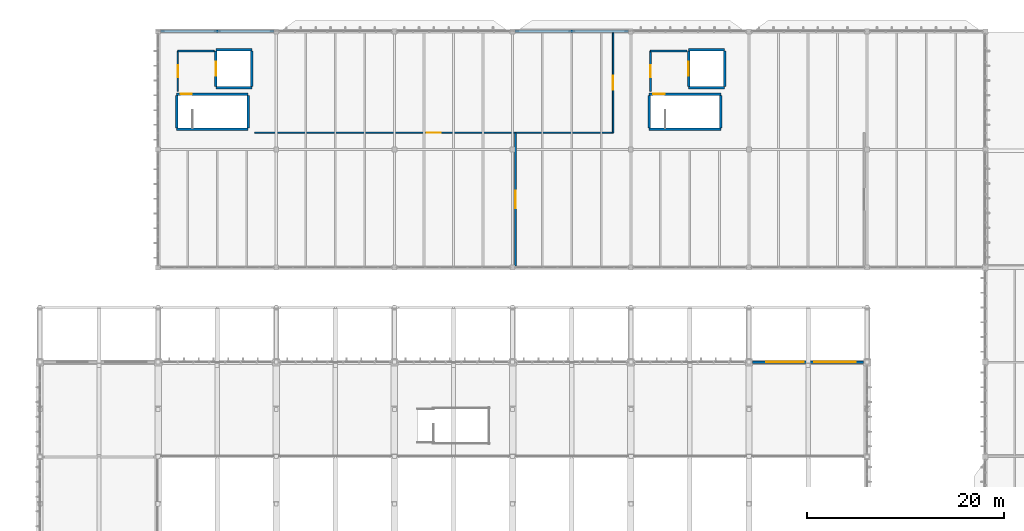
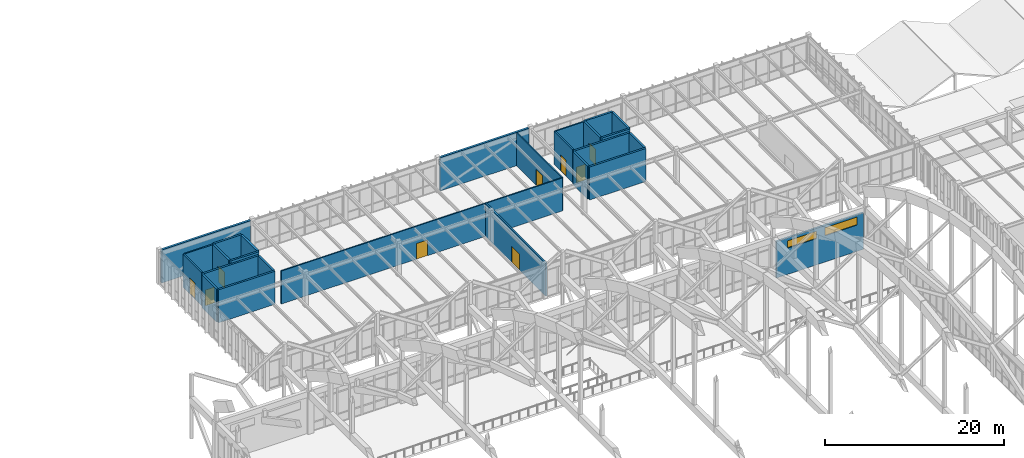
# One storey, part 221 of 236: 26 walls, 9 doors, 2 windows, 11 openings.
"""IFC4 building model written with IfcOpenShell, lengths in metres."""

from ifc_helpers import new_model, si_unit, direction, frame, frame_2d, origin, place, context, subcontext, project, spatial, rectangle, extrude, material, layer, layer_set, type_object, element, fill, save


model = new_model("IFC4")

# Units and contexts
model_context = context("Model", 3, precision=1e-05, world=origin(), true_north=direction((0.0, 1.0)))
body_context = subcontext(model_context, "Body", "Model", "MODEL_VIEW")
ifc_project = project(units=[si_unit("LENGTHUNIT", "METRE"), si_unit("AREAUNIT", "SQUARE_METRE"), si_unit("VOLUMEUNIT", "CUBIC_METRE"), si_unit("PLANEANGLEUNIT", "RADIAN"), si_unit("MASSUNIT", "GRAM", prefix="KILO")], contexts=[model_context])

# Site, building, storey
site_placement = place(None, origin())
site = spatial("IfcSite", under=ifc_project, at=site_placement, CompositionType="ELEMENT")
building_placement = place(site_placement, origin())
building = spatial("IfcBuilding", under=site, at=building_placement, Name="Pandanus Reach Market Hall", CompositionType="ELEMENT")
storey_placement = place(building_placement, frame((0.0, 0.0, 5.39990234375)))
storey = spatial("IfcBuildingStorey", under=building, at=storey_placement, Name="L01", CompositionType="ELEMENT", Elevation=5.39990234375)

# Wall
ifc_material_1 = material(Name="Concrete N40 (40 MPa)", Category="concrete")
ifc_layer_1 = layer(ifc_material_1, 0.25, Name="WL-CORE-250")
ifc_layer_set_1 = layer_set([ifc_layer_1], Name="Concrete N40 (40 MPa)")
wall_type_1 = type_object("IfcWallType", Name="WL-CORE-250", PredefinedType="SHEAR", material=ifc_layer_set_1)
wall_1_placement = place(storey_placement, frame((61.875, 110.074951171875, 0.0), z_axis=(0.0, 0.0, 1.0), x_axis=(1.0, 0.0, 0.0)))
element("IfcWall", 1, at=wall_1_placement, inside=storey, type_object=wall_type_1, Name="Internal wall WL-CORE-250 WL-0380", PredefinedType="SHEAR", context=body_context, shape_type="SweptSolid", body=[
    extrude(rectangle(XDim=7.27001953125, YDim=0.25, at=frame_2d((3.635009765625, 0.0))), origin(), (0.0, 0.0, 1.0), 4.52001953125),
])

# Wall, opening, door
wall_2_placement = place(storey_placement, frame((61.875, 113.625, 0.0), z_axis=(0.0, 0.0, 1.0), x_axis=(1.0, 0.0, 0.0)))
wall_2 = element("IfcWall", 2, at=wall_2_placement, inside=storey, type_object=wall_type_1, Name="Internal wall WL-CORE-250 WL-0381", PredefinedType="SHEAR", context=body_context, shape_type="SweptSolid", body=[
    extrude(rectangle(XDim=7.27001953125, YDim=0.25, at=frame_2d((3.635009765625, 0.0))), origin(), (0.0, 0.0, 1.0), 4.52001953125),
])
opening_1_placement = place(wall_2_placement, frame((0.39990234375, 0.0, 0.0)))
opening_1 = element("IfcOpeningElement", 3, at=opening_1_placement, cuts=wall_2, Name="Opening DR-FD1", PredefinedType="OPENING", context=body_context, shape_type="SweptSolid", body=[
    extrude(rectangle(XDim=1.14990234375, YDim=2.14990234375, at=frame_2d((0.574951171875, 1.074951171875))), frame((0.0, 0.139892578125, 0.0), z_axis=(0.0, -1.0, 0.0), x_axis=(1.0, 0.0, 0.0)), (0.0, 0.0, 1.0), 0.280029296875),
])
ifc_material_2 = material(Name="Fire-rated steel door", Category="steel")
door_type_1 = type_object("IfcDoorType", Name="DR-FD1", OperationType="NOTDEFINED", PredefinedType="DOOR", material=ifc_material_2)
door_1_placement = place(opening_1_placement, frame((1.14990234375, 0.0, 0.0), z_axis=(0.0, 0.0, 1.0), x_axis=(-1.0, 0.0, 0.0)))
door_1 = element("IfcDoor", 4, at=door_1_placement, inside=storey, type_object=door_type_1, Name="Fire stair door ST-05 L01", OperationType="SINGLE_SWING_LEFT", OverallHeight=2.14990234375, OverallWidth=1.14990234375, PredefinedType="DOOR", context=body_context, shape_type="SweptSolid", body=[
    extrude(rectangle(XDim=1.14990234375, YDim=2.14990234375, at=frame_2d((0.574951171875, 1.074951171875))), frame((0.0, 0.02490234375, 0.0), z_axis=(0.0, -1.0, 0.0), x_axis=(1.0, 0.0, 0.0)), (0.0, 0.0, 1.0), 0.050048828125),
])
fill(opening_1, door_1)

# Walls
for number, where, z_axis, x_axis, name in (
    (5, (61.875, 110.199951171875, 0.0), (0.0, 0.0, 1.0), (0.0, 1.0, 0.0), "Internal wall WL-CORE-250 WL-0382"),
    (6, (69.14501953125, 110.199951171875, 0.0), (0.0, 0.0, 1.0), (0.0, 1.0, 0.0), "Internal wall WL-CORE-250 WL-0383"),
):
    element("IfcWall", number, at=place(storey_placement, frame(where, z_axis=z_axis, x_axis=x_axis)), inside=storey, type_object=wall_type_1, Name=name, PredefinedType="SHEAR", context=body_context, shape_type="SweptSolid", body=[
        extrude(rectangle(XDim=3.300048828125, YDim=0.25, at=frame_2d((1.64990234375, 0.0))), origin(), (0.0, 0.0, 1.0), 4.52001953125),
    ])
for number, where, z_axis, x_axis, name in (
    (7, (65.875, 114.27490234375, 0.0), (0.0, 0.0, 1.0), (1.0, 0.0, 0.0), "Internal wall WL-CORE-250 WL-0384"),
    (8, (65.875, 118.125, 0.0), (0.0, 0.0, 1.0), (1.0, 0.0, 0.0), "Internal wall WL-CORE-250 WL-0385"),
):
    element("IfcWall", number, at=place(storey_placement, frame(where, z_axis=z_axis, x_axis=x_axis)), inside=storey, type_object=wall_type_1, Name=name, PredefinedType="SHEAR", context=body_context, shape_type="SweptSolid", body=[
        extrude(rectangle(XDim=3.64990234375, YDim=0.25, at=frame_2d((1.824951171875, 0.0))), origin(), (0.0, 0.0, 1.0), 4.52001953125),
    ])
wall_3_placement = place(storey_placement, frame((69.52490234375, 114.39990234375, 0.0), z_axis=(0.0, 0.0, 1.0), x_axis=(0.0, 1.0, 0.0)))
element("IfcWall", 9, at=wall_3_placement, inside=storey, type_object=wall_type_1, Name="Internal wall WL-CORE-250 WL-0386", PredefinedType="SHEAR", context=body_context, shape_type="SweptSolid", body=[
    extrude(rectangle(XDim=3.60009765625, YDim=0.25, at=frame_2d((1.800048828125, 0.0))), origin(), (0.0, 0.0, 1.0), 4.52001953125),
])

# Wall, opening, door
wall_4_placement = place(storey_placement, frame((65.875, 114.39990234375, 0.0), z_axis=(0.0, 0.0, 1.0), x_axis=(0.0, 1.0, 0.0)))
wall_4 = element("IfcWall", 10, at=wall_4_placement, inside=storey, type_object=wall_type_1, Name="Internal wall WL-CORE-250 WL-0387", PredefinedType="SHEAR", context=body_context, shape_type="SweptSolid", body=[
    extrude(rectangle(XDim=3.60009765625, YDim=0.25, at=frame_2d((1.800048828125, 0.0))), origin(), (0.0, 0.0, 1.0), 4.52001953125),
])
opening_2_placement = place(wall_4_placement, frame((1.10009765625, 0.0, 0.0)))
opening_2 = element("IfcOpeningElement", 11, at=opening_2_placement, cuts=wall_4, Name="Opening LD-02", PredefinedType="OPENING", context=body_context, shape_type="SweptSolid", body=[
    extrude(rectangle(XDim=1.39990234375, YDim=2.199951171875, at=frame_2d((0.699951171875, 1.10009765625))), frame((0.0, 0.139892578125, 0.0), z_axis=(0.0, -1.0, 0.0), x_axis=(1.0, 0.0, 0.0)), (0.0, 0.0, 1.0), 0.280029296875),
])
ifc_material_3 = material(Name="Heavy goods lift landing door")
door_type_2 = type_object("IfcDoorType", Name="LD-02", OperationType="SLIDING_TO_RIGHT", PredefinedType="DOOR", material=ifc_material_3)
door_2_placement = place(opening_2_placement, origin())
door_2 = element("IfcDoor", 12, at=door_2_placement, inside=storey, type_object=door_type_2, Name="Lift landing door LF-05 LD-02 72", OperationType="SLIDING_TO_RIGHT", OverallHeight=2.199951171875, OverallWidth=1.39990234375, PredefinedType="DOOR", context=body_context, shape_type="SweptSolid", body=[
    extrude(rectangle(XDim=1.39990234375, YDim=2.199951171875, at=frame_2d((0.699951171875, 1.10009765625))), frame((0.0, 0.02490234375, 0.0), z_axis=(0.0, -1.0, 0.0), x_axis=(1.0, 0.0, 0.0)), (0.0, 0.0, 1.0), 0.050048828125),
])
fill(opening_2, door_2)

# Wall
wall_5_placement = place(storey_placement, frame((109.875, 110.074951171875, 0.0), z_axis=(0.0, 0.0, 1.0), x_axis=(1.0, 0.0, 0.0)))
element("IfcWall", 13, at=wall_5_placement, inside=storey, type_object=wall_type_1, Name="Internal wall WL-CORE-250 WL-0410", PredefinedType="SHEAR", context=body_context, shape_type="SweptSolid", body=[
    extrude(rectangle(XDim=7.27001953125, YDim=0.25, at=frame_2d((3.635009765625, 0.0))), origin(), (0.0, 0.0, 1.0), 4.52001953125),
])

# Wall, opening, door
wall_6_placement = place(storey_placement, frame((109.875, 113.625, 0.0), z_axis=(0.0, 0.0, 1.0), x_axis=(1.0, 0.0, 0.0)))
wall_6 = element("IfcWall", 14, at=wall_6_placement, inside=storey, type_object=wall_type_1, Name="Internal wall WL-CORE-250 WL-0411", PredefinedType="SHEAR", context=body_context, shape_type="SweptSolid", body=[
    extrude(rectangle(XDim=7.27001953125, YDim=0.25, at=frame_2d((3.635009765625, 0.0))), origin(), (0.0, 0.0, 1.0), 4.52001953125),
])
opening_3_placement = place(wall_6_placement, frame((0.39990234375, 0.0, 0.0)))
opening_3 = element("IfcOpeningElement", 15, at=opening_3_placement, cuts=wall_6, Name="Opening DR-FD1", PredefinedType="OPENING", context=body_context, shape_type="SweptSolid", body=[
    extrude(rectangle(XDim=1.14990234375, YDim=2.14990234375, at=frame_2d((0.574951171875, 1.074951171875))), frame((0.0, 0.139892578125, 0.0), z_axis=(0.0, -1.0, 0.0), x_axis=(1.0, 0.0, 0.0)), (0.0, 0.0, 1.0), 0.280029296875),
])
door_3_placement = place(opening_3_placement, frame((1.14990234375, 0.0, 0.0), z_axis=(0.0, 0.0, 1.0), x_axis=(-1.0, 0.0, 0.0)))
door_3 = element("IfcDoor", 16, at=door_3_placement, inside=storey, type_object=door_type_1, Name="Fire stair door ST-06 L01", OperationType="SINGLE_SWING_RIGHT", OverallHeight=2.14990234375, OverallWidth=1.14990234375, PredefinedType="DOOR", context=body_context, shape_type="SweptSolid", body=[
    extrude(rectangle(XDim=1.14990234375, YDim=2.14990234375, at=frame_2d((0.574951171875, 1.074951171875))), frame((0.0, 0.02490234375, 0.0), z_axis=(0.0, -1.0, 0.0), x_axis=(1.0, 0.0, 0.0)), (0.0, 0.0, 1.0), 0.050048828125),
])
fill(opening_3, door_3)

# Walls
for number, where, z_axis, x_axis, name in (
    (17, (109.875, 110.199951171875, 0.0), (0.0, 0.0, 1.0), (0.0, 1.0, 0.0), "Internal wall WL-CORE-250 WL-0412"),
    (18, (117.14501953125, 110.199951171875, 0.0), (0.0, 0.0, 1.0), (0.0, 1.0, 0.0), "Internal wall WL-CORE-250 WL-0413"),
):
    element("IfcWall", number, at=place(storey_placement, frame(where, z_axis=z_axis, x_axis=x_axis)), inside=storey, type_object=wall_type_1, Name=name, PredefinedType="SHEAR", context=body_context, shape_type="SweptSolid", body=[
        extrude(rectangle(XDim=3.300048828125, YDim=0.25, at=frame_2d((1.64990234375, 0.0))), origin(), (0.0, 0.0, 1.0), 4.52001953125),
    ])
for number, where, z_axis, x_axis, name in (
    (19, (113.875, 114.27490234375, 0.0), (0.0, 0.0, 1.0), (1.0, 0.0, 0.0), "Internal wall WL-CORE-250 WL-0414"),
    (20, (113.875, 118.125, 0.0), (0.0, 0.0, 1.0), (1.0, 0.0, 0.0), "Internal wall WL-CORE-250 WL-0415"),
):
    element("IfcWall", number, at=place(storey_placement, frame(where, z_axis=z_axis, x_axis=x_axis)), inside=storey, type_object=wall_type_1, Name=name, PredefinedType="SHEAR", context=body_context, shape_type="SweptSolid", body=[
        extrude(rectangle(XDim=3.64990234375, YDim=0.25, at=frame_2d((1.824951171875, 0.0))), origin(), (0.0, 0.0, 1.0), 4.52001953125),
    ])
wall_7_placement = place(storey_placement, frame((117.52490234375, 114.39990234375, 0.0), z_axis=(0.0, 0.0, 1.0), x_axis=(0.0, 1.0, 0.0)))
element("IfcWall", 21, at=wall_7_placement, inside=storey, type_object=wall_type_1, Name="Internal wall WL-CORE-250 WL-0416", PredefinedType="SHEAR", context=body_context, shape_type="SweptSolid", body=[
    extrude(rectangle(XDim=3.60009765625, YDim=0.25, at=frame_2d((1.800048828125, 0.0))), origin(), (0.0, 0.0, 1.0), 4.52001953125),
])

# Wall, opening, door
wall_8_placement = place(storey_placement, frame((113.875, 114.39990234375, 0.0), z_axis=(0.0, 0.0, 1.0), x_axis=(0.0, 1.0, 0.0)))
wall_8 = element("IfcWall", 22, at=wall_8_placement, inside=storey, type_object=wall_type_1, Name="Internal wall WL-CORE-250 WL-0417", PredefinedType="SHEAR", context=body_context, shape_type="SweptSolid", body=[
    extrude(rectangle(XDim=3.60009765625, YDim=0.25, at=frame_2d((1.800048828125, 0.0))), origin(), (0.0, 0.0, 1.0), 4.52001953125),
])
opening_4_placement = place(wall_8_placement, frame((1.10009765625, 0.0, 0.0)))
opening_4 = element("IfcOpeningElement", 23, at=opening_4_placement, cuts=wall_8, Name="Opening LD-02", PredefinedType="OPENING", context=body_context, shape_type="SweptSolid", body=[
    extrude(rectangle(XDim=1.39990234375, YDim=2.199951171875, at=frame_2d((0.699951171875, 1.10009765625))), frame((0.0, 0.139892578125, 0.0), z_axis=(0.0, -1.0, 0.0), x_axis=(1.0, 0.0, 0.0)), (0.0, 0.0, 1.0), 0.280029296875),
])
door_4_placement = place(opening_4_placement, origin())
door_4 = element("IfcDoor", 24, at=door_4_placement, inside=storey, type_object=door_type_2, Name="Lift landing door LF-06 LD-02 81", OperationType="SLIDING_TO_RIGHT", OverallHeight=2.199951171875, OverallWidth=1.39990234375, PredefinedType="DOOR", context=body_context, shape_type="SweptSolid", body=[
    extrude(rectangle(XDim=1.39990234375, YDim=2.199951171875, at=frame_2d((0.699951171875, 1.10009765625))), frame((0.0, 0.02490234375, 0.0), z_axis=(0.0, -1.0, 0.0), x_axis=(1.0, 0.0, 0.0)), (0.0, 0.0, 1.0), 0.050048828125),
])
fill(opening_4, door_4)

# Wall, openings, windows
ifc_material_4 = material(Name="Precast concrete S50 (50 MPa)", Category="concrete")
ifc_layer_2 = layer(ifc_material_4, 0.239990234375, Name="WL-EXT-240")
ifc_layer_set_2 = layer_set([ifc_layer_2], Name="Precast concrete S50 (50 MPa)")
wall_type_2 = type_object("IfcWallType", Name="WL-EXT-240", PredefinedType="SOLIDWALL", material=ifc_layer_set_2)
wall_9_placement = place(storey_placement, frame((120.375, 86.39990234375, 0.0), z_axis=(0.0, 0.0, 1.0), x_axis=(1.0, 0.0, 0.0)))
wall_9 = element("IfcWall", 25, at=wall_9_placement, inside=storey, type_object=wall_type_2, Name="External wall WL-EXT-240 WL-0055", PredefinedType="SOLIDWALL", context=body_context, shape_type="SweptSolid", body=[
    extrude(rectangle(XDim=11.25, YDim=0.239990234375, at=frame_2d((5.625, 0.0))), origin(), (0.0, 0.0, 1.0), 4.99609375),
])
opening_5_placement = place(wall_9_placement, frame((1.39990234375, 0.0, 3.60009765625)))
opening_5 = element("IfcOpeningElement", 26, at=opening_5_placement, cuts=wall_9, Name="Opening LDM-05", PredefinedType="OPENING", context=body_context, shape_type="SweptSolid", body=[
    extrude(rectangle(XDim=3.800048828125, YDim=1.0, at=frame_2d((1.89990234375, 0.5))), frame((0.0, 0.135009765625, 0.0), z_axis=(0.0, -1.0, 0.0), x_axis=(1.0, 0.0, 0.0)), (0.0, 0.0, 1.0), 0.27001953125),
])
opening_6_placement = place(wall_9_placement, frame((6.25, 0.0, 3.60009765625)))
opening_6 = element("IfcOpeningElement", 27, at=opening_6_placement, cuts=wall_9, Name="Opening LDM-03", PredefinedType="OPENING", context=body_context, shape_type="SweptSolid", body=[
    extrude(rectangle(XDim=4.199951171875, YDim=1.10009765625, at=frame_2d((2.10009765625, 0.550048828125))), frame((0.0, 0.135009765625, 0.0), z_axis=(0.0, -1.0, 0.0), x_axis=(1.0, 0.0, 0.0)), (0.0, 0.0, 1.0), 0.27001953125),
])
ifc_material_5 = material(Name="Solar-control double glazing", Category="glass")
window_type_1 = type_object("IfcWindowType", Name="LDM-03", PartitioningType="SINGLE_PANEL", PredefinedType="LIGHTDOME", material=ifc_material_5)
window_1_placement = place(opening_6_placement, origin())
window_1 = element("IfcWindow", 28, at=window_1_placement, inside=storey, type_object=window_type_1, Name="Window LDM-03 20", OverallHeight=1.10009765625, OverallWidth=4.199951171875, PartitioningType="SINGLE_PANEL", PredefinedType="LIGHTDOME", context=body_context, shape_type="SweptSolid", body=[
    extrude(rectangle(XDim=4.199951171875, YDim=1.10009765625, at=frame_2d((2.10009765625, 0.550048828125))), frame((0.0, 0.030029296875, 0.0), z_axis=(0.0, -1.0, 0.0), x_axis=(1.0, 0.0, 0.0)), (0.0, 0.0, 1.0), 0.06005859375),
])
fill(opening_6, window_1)
window_type_2 = type_object("IfcWindowType", Name="LDM-05", PartitioningType="SINGLE_PANEL", PredefinedType="LIGHTDOME", material=ifc_material_5)
window_2_placement = place(opening_5_placement, origin())
window_2 = element("IfcWindow", 29, at=window_2_placement, inside=storey, type_object=window_type_2, Name="Window LDM-05 19", OverallHeight=1.0, OverallWidth=3.800048828125, PartitioningType="SINGLE_PANEL", PredefinedType="LIGHTDOME", context=body_context, shape_type="SweptSolid", body=[
    extrude(rectangle(XDim=3.800048828125, YDim=1.0, at=frame_2d((1.89990234375, 0.5))), frame((0.0, 0.030029296875, 0.0), z_axis=(0.0, -1.0, 0.0), x_axis=(1.0, 0.0, 0.0)), (0.0, 0.0, 1.0), 0.06005859375),
])
fill(opening_5, window_2)

# Walls
ifc_layer_3 = layer(ifc_material_4, 0.280029296875, Name="WL-EXT-280")
ifc_layer_set_3 = layer_set([ifc_layer_3], Name="Precast concrete S50 (50 MPa)")
wall_type_3 = type_object("IfcWallType", Name="WL-EXT-280", PredefinedType="SOLIDWALL", material=ifc_layer_set_3)
for number, where, z_axis, x_axis, name in (
    (30, (60.25, 120.0, 0.0), (0.0, 0.0, 1.0), (1.0, 0.0, 0.0), "External wall WL-EXT-280 WL-0120"),
    (31, (96.25, 120.0, 0.0), (0.0, 0.0, 1.0), (1.0, 0.0, 0.0), "External wall WL-EXT-280 WL-0127"),
):
    element("IfcWall", number, at=place(storey_placement, frame(where, z_axis=z_axis, x_axis=x_axis)), inside=storey, type_object=wall_type_3, Name=name, PredefinedType="SOLIDWALL", context=body_context, shape_type="SweptSolid", body=[
        extrude(rectangle(XDim=11.5, YDim=0.280029296875, at=frame_2d((5.75, 0.0))), origin(), (0.0, 0.0, 1.0), 4.550048828125),
    ])

# Wall, opening, door
ifc_layer_4 = layer(ifc_material_1, 0.199951171875, Name="WL-FIRE-200")
ifc_layer_set_4 = layer_set([ifc_layer_4], Name="Concrete N40 (40 MPa)")
wall_type_4 = type_object("IfcWallType", Name="WL-FIRE-200", PredefinedType="SOLIDWALL", material=ifc_layer_set_4)
wall_10_placement = place(storey_placement, frame((96.300048828125, 96.14990234375, 0.0), z_axis=(0.0, 0.0, 1.0), x_axis=(0.0, 1.0, 0.0)))
wall_10 = element("IfcWall", 32, at=wall_10_placement, inside=storey, type_object=wall_type_4, Name="Internal wall WL-FIRE-200 WL-0534", PredefinedType="SOLIDWALL", context=body_context, shape_type="SweptSolid", body=[
    extrude(rectangle(XDim=13.550048828125, YDim=0.199951171875, at=frame_2d((6.77490234375, 0.0))), origin(), (0.0, 0.0, 1.0), 4.52001953125),
])
opening_7_placement = place(wall_10_placement, frame((5.875, 0.0, 0.0)))
opening_7 = element("IfcOpeningElement", 33, at=opening_7_placement, cuts=wall_10, Name="Opening DR-FD3", PredefinedType="OPENING", context=body_context, shape_type="SweptSolid", body=[
    extrude(rectangle(XDim=1.800048828125, YDim=2.199951171875, at=frame_2d((0.89990234375, 1.10009765625))), frame((0.0, 0.114990234375, 0.0), z_axis=(0.0, -1.0, 0.0), x_axis=(1.0, 0.0, 0.0)), (0.0, 0.0, 1.0), 0.22998046875),
])
ifc_material_6 = material(Name="Fire-rated double lobby door")
door_type_3 = type_object("IfcDoorType", Name="DR-FD3", OperationType="DOUBLE_DOOR_SINGLE_SWING", PredefinedType="DOOR", material=ifc_material_6)
door_5_placement = place(opening_7_placement, origin())
door_5 = element("IfcDoor", 34, at=door_5_placement, inside=storey, type_object=door_type_3, Name="Upper produce chiller fire door DR-FD3 144", OperationType="DOUBLE_DOOR_SINGLE_SWING", OverallHeight=2.199951171875, OverallWidth=1.800048828125, PredefinedType="DOOR", context=body_context, shape_type="SweptSolid", body=[
    extrude(rectangle(XDim=1.800048828125, YDim=2.199951171875, at=frame_2d((0.89990234375, 1.10009765625))), frame((0.0, 0.02490234375, 0.0), z_axis=(0.0, -1.0, 0.0), x_axis=(1.0, 0.0, 0.0)), (0.0, 0.0, 1.0), 0.050048828125),
])
fill(opening_7, door_5)

ifc_layer_5 = layer(ifc_material_1, 0.175048828125, Name="WL-LOB-175")
ifc_layer_set_5 = layer_set([ifc_layer_5], Name="Concrete N40 (40 MPa)")
wall_type_5 = type_object("IfcWallType", Name="WL-LOB-175", PredefinedType="PARTITIONING", material=ifc_layer_set_5)
wall_11_placement = place(storey_placement, frame((62.0, 113.89990234375, 0.0), z_axis=(0.0, 0.0, 1.0), x_axis=(0.0, 1.0, 0.0)))
wall_11 = element("IfcWall", 35, at=wall_11_placement, inside=storey, type_object=wall_type_5, Name="Internal wall WL-LOB-175 WL-0388", PredefinedType="PARTITIONING", context=body_context, shape_type="SweptSolid", body=[
    extrude(rectangle(XDim=4.10009765625, YDim=0.175048828125, at=frame_2d((2.050048828125, 0.0))), origin(), (0.0, 0.0, 1.0), 4.52001953125),
])
opening_8_placement = place(wall_11_placement, frame((1.425048828125, 0.0, 0.0)))
opening_8 = element("IfcOpeningElement", 36, at=opening_8_placement, cuts=wall_11, Name="Opening DR-FD2", PredefinedType="OPENING", context=body_context, shape_type="SweptSolid", body=[
    extrude(rectangle(XDim=1.25, YDim=2.199951171875, at=frame_2d((0.625, 1.10009765625))), frame((0.0, 0.1025390625, 0.0), z_axis=(0.0, -1.0, 0.0), x_axis=(1.0, 0.0, 0.0)), (0.0, 0.0, 1.0), 0.205078125),
])
door_type_4 = type_object("IfcDoorType", Name="DR-FD2", OperationType="NOTDEFINED", PredefinedType="DOOR", material=ifc_material_2)
door_6_placement = place(opening_8_placement, frame((1.25, 0.0, 0.0), z_axis=(0.0, 0.0, 1.0), x_axis=(-1.0, 0.0, 0.0)))
door_6 = element("IfcDoor", 37, at=door_6_placement, inside=storey, type_object=door_type_4, Name="Core C5 lobby fire door DR-FD2 73", OperationType="SINGLE_SWING_RIGHT", OverallHeight=2.199951171875, OverallWidth=1.25, PredefinedType="DOOR", context=body_context, shape_type="SweptSolid", body=[
    extrude(rectangle(XDim=1.25, YDim=2.199951171875, at=frame_2d((0.625, 1.10009765625))), frame((0.0, 0.02490234375, 0.0), z_axis=(0.0, -1.0, 0.0), x_axis=(1.0, 0.0, 0.0)), (0.0, 0.0, 1.0), 0.050048828125),
])
fill(opening_8, door_6)

# Wall
wall_12_placement = place(storey_placement, frame((62.0, 118.0, 0.0), z_axis=(0.0, 0.0, 1.0), x_axis=(1.0, 0.0, 0.0)))
element("IfcWall", 38, at=wall_12_placement, inside=storey, type_object=wall_type_5, Name="Internal wall WL-LOB-175 WL-0389", PredefinedType="PARTITIONING", context=body_context, shape_type="SweptSolid", body=[
    extrude(rectangle(XDim=3.699951171875, YDim=0.175048828125, at=frame_2d((1.85009765625, 0.0))), origin(), (0.0, 0.0, 1.0), 4.52001953125),
])

# Wall, opening, door
wall_13_placement = place(storey_placement, frame((110.0, 113.89990234375, 0.0), z_axis=(0.0, 0.0, 1.0), x_axis=(0.0, 1.0, 0.0)))
wall_13 = element("IfcWall", 39, at=wall_13_placement, inside=storey, type_object=wall_type_5, Name="Internal wall WL-LOB-175 WL-0418", PredefinedType="PARTITIONING", context=body_context, shape_type="SweptSolid", body=[
    extrude(rectangle(XDim=4.10009765625, YDim=0.175048828125, at=frame_2d((2.050048828125, 0.0))), origin(), (0.0, 0.0, 1.0), 4.52001953125),
])
opening_9_placement = place(wall_13_placement, frame((1.425048828125, 0.0, 0.0)))
opening_9 = element("IfcOpeningElement", 40, at=opening_9_placement, cuts=wall_13, Name="Opening DR-FD2", PredefinedType="OPENING", context=body_context, shape_type="SweptSolid", body=[
    extrude(rectangle(XDim=1.25, YDim=2.199951171875, at=frame_2d((0.625, 1.10009765625))), frame((0.0, 0.1025390625, 0.0), z_axis=(0.0, -1.0, 0.0), x_axis=(1.0, 0.0, 0.0)), (0.0, 0.0, 1.0), 0.205078125),
])
door_7_placement = place(opening_9_placement, frame((1.25, 0.0, 0.0), z_axis=(0.0, 0.0, 1.0), x_axis=(-1.0, 0.0, 0.0)))
door_7 = element("IfcDoor", 41, at=door_7_placement, inside=storey, type_object=door_type_4, Name="Core C6 lobby fire door DR-FD2 82", OperationType="SINGLE_SWING_LEFT", OverallHeight=2.199951171875, OverallWidth=1.25, PredefinedType="DOOR", context=body_context, shape_type="SweptSolid", body=[
    extrude(rectangle(XDim=1.25, YDim=2.199951171875, at=frame_2d((0.625, 1.10009765625))), frame((0.0, 0.02490234375, 0.0), z_axis=(0.0, -1.0, 0.0), x_axis=(1.0, 0.0, 0.0)), (0.0, 0.0, 1.0), 0.050048828125),
])
fill(opening_9, door_7)

# Wall
wall_14_placement = place(storey_placement, frame((110.0, 118.0, 0.0), z_axis=(0.0, 0.0, 1.0), x_axis=(1.0, 0.0, 0.0)))
element("IfcWall", 42, at=wall_14_placement, inside=storey, type_object=wall_type_5, Name="Internal wall WL-LOB-175 WL-0419", PredefinedType="PARTITIONING", context=body_context, shape_type="SweptSolid", body=[
    extrude(rectangle(XDim=3.699951171875, YDim=0.175048828125, at=frame_2d((1.85009765625, 0.0))), origin(), (0.0, 0.0, 1.0), 4.52001953125),
])

# Wall, opening, door
ifc_material_7 = material(Name="Acoustic plasterboard on steel framing", Category="steel")
ifc_layer_6 = layer(ifc_material_7, 0.14990234375, Name="WL-PRT-150")
ifc_layer_set_6 = layer_set([ifc_layer_6], Name="Acoustic plasterboard on steel framing")
wall_type_6 = type_object("IfcWallType", Name="WL-PRT-150", PredefinedType="PARTITIONING", material=ifc_layer_set_6)
wall_15_placement = place(storey_placement, frame((69.800048828125, 109.699951171875, 0.0), z_axis=(0.0, 0.0, 1.0), x_axis=(1.0, 0.0, 0.0)))
wall_15 = element("IfcWall", 43, at=wall_15_placement, inside=storey, type_object=wall_type_6, Name="Internal wall WL-PRT-150 WL-0536", PredefinedType="PARTITIONING", context=body_context, shape_type="SweptSolid", body=[
    extrude(rectangle(XDim=36.39990234375, YDim=0.14990234375, at=frame_2d((18.199951171875, 0.0))), origin(), (0.0, 0.0, 1.0), 4.52001953125),
])
opening_10_placement = place(wall_15_placement, frame((17.47509765625, 0.0, 0.0)))
opening_10 = element("IfcOpeningElement", 44, at=opening_10_placement, cuts=wall_15, Name="Opening DR-I14", PredefinedType="OPENING", context=body_context, shape_type="SweptSolid", body=[
    extrude(rectangle(XDim=1.449951171875, YDim=2.14990234375, at=frame_2d((0.72509765625, 1.074951171875))), frame((0.0, 0.08984375, 0.0), z_axis=(0.0, -1.0, 0.0), x_axis=(1.0, 0.0, 0.0)), (0.0, 0.0, 1.0), 0.179931640625),
])
ifc_material_8 = material(Name="Cold-store insulated leaf door")
door_type_5 = type_object("IfcDoorType", Name="DR-I14", OperationType="NOTDEFINED", PredefinedType="DOOR", material=ifc_material_8)
door_8_placement = place(opening_10_placement, origin())
door_8 = element("IfcDoor", 45, at=door_8_placement, inside=storey, type_object=door_type_5, Name="Commissary dry store door DR-I14 146", OperationType="SINGLE_SWING_LEFT", OverallHeight=2.14990234375, OverallWidth=1.449951171875, PredefinedType="DOOR", context=body_context, shape_type="SweptSolid", body=[
    extrude(rectangle(XDim=1.449951171875, YDim=2.14990234375, at=frame_2d((0.72509765625, 1.074951171875))), frame((0.0, 0.02490234375, 0.0), z_axis=(0.0, -1.0, 0.0), x_axis=(1.0, 0.0, 0.0)), (0.0, 0.0, 1.0), 0.050048828125),
])
fill(opening_10, door_8)

wall_16_placement = place(storey_placement, frame((106.199951171875, 109.699951171875, 0.0), z_axis=(0.0, 0.0, 1.0), x_axis=(0.0, 1.0, 0.0)))
wall_16 = element("IfcWall", 46, at=wall_16_placement, inside=storey, type_object=wall_type_6, Name="Internal wall WL-PRT-150 WL-0537", PredefinedType="PARTITIONING", context=body_context, shape_type="SweptSolid", body=[
    extrude(rectangle(XDim=10.150146484375, YDim=0.14990234375, at=frame_2d((5.0751953125, 0.0))), origin(), (0.0, 0.0, 1.0), 4.52001953125),
])
opening_11_placement = place(wall_16_placement, frame((4.35009765625, 0.0, 0.0)))
opening_11 = element("IfcOpeningElement", 47, at=opening_11_placement, cuts=wall_16, Name="Opening DR-I14", PredefinedType="OPENING", context=body_context, shape_type="SweptSolid", body=[
    extrude(rectangle(XDim=1.449951171875, YDim=2.14990234375, at=frame_2d((0.72509765625, 1.074951171875))), frame((0.0, 0.08984375, 0.0), z_axis=(0.0, -1.0, 0.0), x_axis=(1.0, 0.0, 0.0)), (0.0, 0.0, 1.0), 0.179931640625),
])
door_9_placement = place(opening_11_placement, origin())
door_9 = element("IfcDoor", 48, at=door_9_placement, inside=storey, type_object=door_type_5, Name="Commissary dry store corridor door DR-I14 147", OperationType="SINGLE_SWING_RIGHT", OverallHeight=2.14990234375, OverallWidth=1.449951171875, PredefinedType="DOOR", context=body_context, shape_type="SweptSolid", body=[
    extrude(rectangle(XDim=1.449951171875, YDim=2.14990234375, at=frame_2d((0.72509765625, 1.074951171875))), frame((0.0, 0.02490234375, 0.0), z_axis=(0.0, -1.0, 0.0), x_axis=(1.0, 0.0, 0.0)), (0.0, 0.0, 1.0), 0.050048828125),
])
fill(opening_11, door_9)

save(model, "model.ifc")
